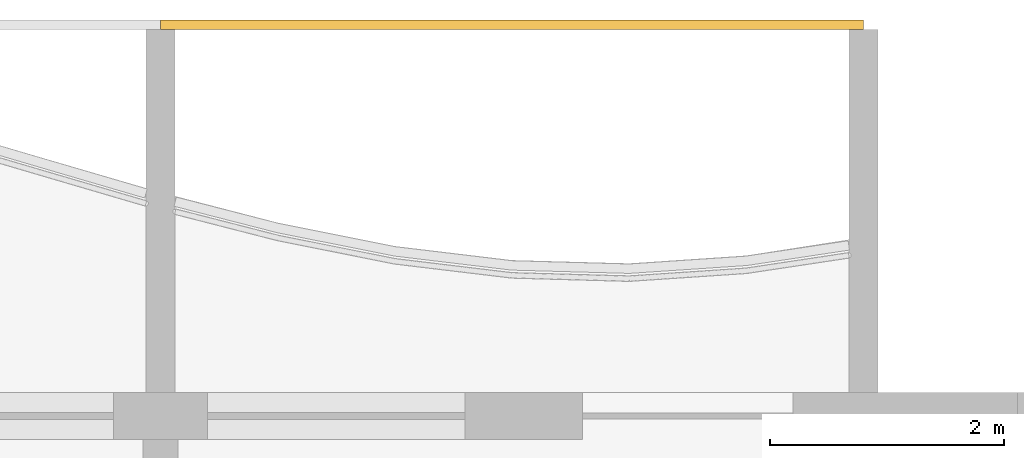
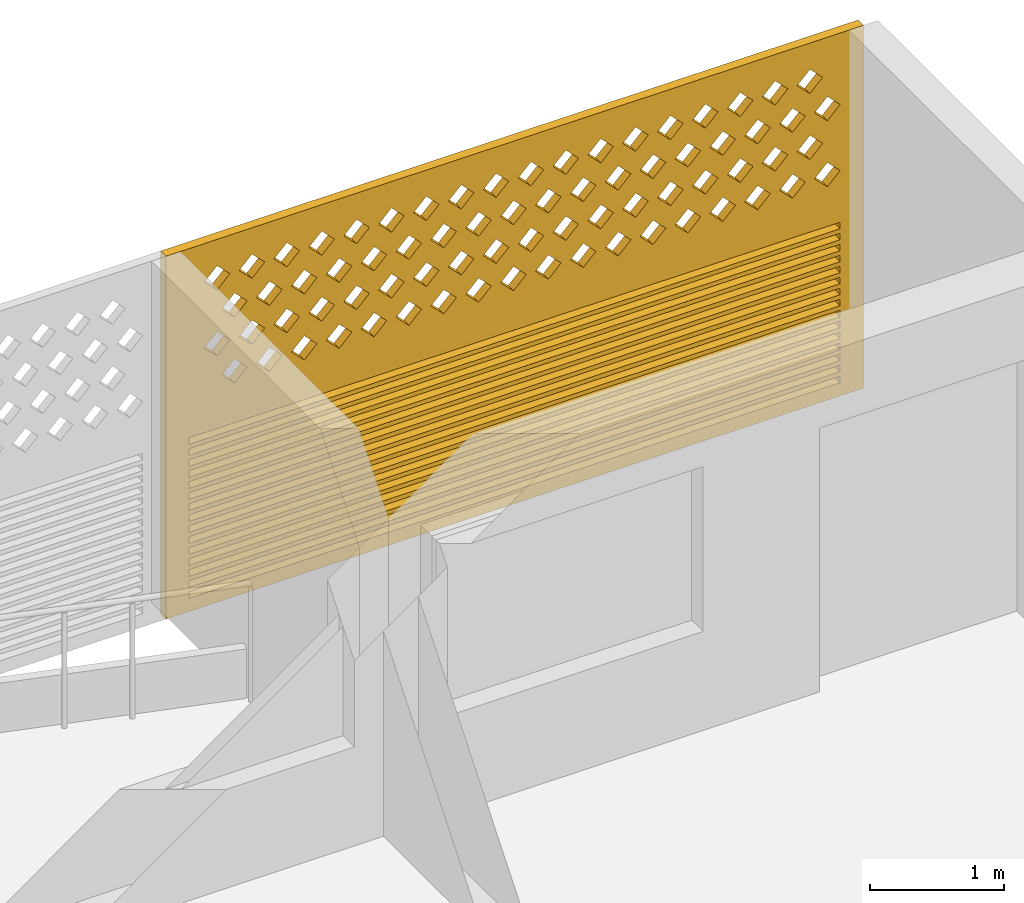
# One storey, part 31 of 31: 1 covering.
"""IFC4 building model written with IfcOpenShell, lengths in metres."""

from ifc_helpers import new_model, si_unit, direction, frame, origin, place, context, subcontext, project, spatial, polyline, outline, extrude, source, transform, mapped, material, material_profile, profile_set, type_object, element, save


model = new_model("IFC4")

# Units and contexts
model_context = context("Model", 3, precision=1e-05, world=origin(), true_north=direction((0.0, 1.0)))
body_context = subcontext(model_context, "Body", "Model", "MODEL_VIEW")
ifc_project = project(units=[si_unit("LENGTHUNIT", "METRE"), si_unit("AREAUNIT", "SQUARE_METRE"), si_unit("VOLUMEUNIT", "CUBIC_METRE"), si_unit("PLANEANGLEUNIT", "RADIAN"), si_unit("MASSUNIT", "GRAM", prefix="KILO")], contexts=[model_context])

# Site, building, storey
site_placement = place(None, origin())
site = spatial("IfcSite", under=ifc_project, at=site_placement, CompositionType="ELEMENT")
building_placement = place(site_placement, origin())
building = spatial("IfcBuilding", under=site, at=building_placement, Name="Poui Terraces", CompositionType="ELEMENT")
storey_placement = place(building_placement, frame((0.0, 0.0, 148.800048828125)))
storey = spatial("IfcBuildingStorey", under=building, at=storey_placement, Name="L41", CompositionType="ELEMENT", Elevation=148.800048828125)

# Covering
ifc_material = material(Name="Terracotta screen", Category="masonry")
ifc_material_profile = material_profile(ifc_material, outline(polyline([(-3.0, -1.64990234375), (3.0, -1.64990234375), (3.0, 1.64990234375), (-3.0, 1.64990234375), (-3.0, -1.64990234375)]), holes=[polyline([(-2.800048828125, 0.39990234375), (-2.68994140625, 0.2900390625), (-2.580078125, 0.39990234375), (-2.68994140625, 0.510009765625), (-2.800048828125, 0.39990234375)]), polyline([(-2.5, 0.39990234375), (-2.389892578125, 0.2900390625), (-2.280029296875, 0.39990234375), (-2.389892578125, 0.510009765625), (-2.5, 0.39990234375)]), polyline([(-2.199951171875, 0.39990234375), (-2.090087890625, 0.2900390625), (-1.97998046875, 0.39990234375), (-2.090087890625, 0.510009765625), (-2.199951171875, 0.39990234375)]), polyline([(-1.89990234375, 0.39990234375), (-1.7900390625, 0.2900390625), (-1.679931640625, 0.39990234375), (-1.7900390625, 0.510009765625), (-1.89990234375, 0.39990234375)]), polyline([(-1.60009765625, 0.39990234375), (-1.489990234375, 0.2900390625), (-1.3798828125, 0.39990234375), (-1.489990234375, 0.510009765625), (-1.60009765625, 0.39990234375)]), polyline([(-1.300048828125, 0.39990234375), (-1.18994140625, 0.2900390625), (-1.080078125, 0.39990234375), (-1.18994140625, 0.510009765625), (-1.300048828125, 0.39990234375)]), polyline([(-1.0, 0.39990234375), (-0.889892578125, 0.2900390625), (-0.780029296875, 0.39990234375), (-0.889892578125, 0.510009765625), (-1.0, 0.39990234375)]), polyline([(-0.699951171875, 0.39990234375), (-0.590087890625, 0.2900390625), (-0.47998046875, 0.39990234375), (-0.590087890625, 0.510009765625), (-0.699951171875, 0.39990234375)]), polyline([(-0.39990234375, 0.39990234375), (-0.2900390625, 0.2900390625), (-0.179931640625, 0.39990234375), (-0.2900390625, 0.510009765625), (-0.39990234375, 0.39990234375)]), polyline([(-0.10009765625, 0.39990234375), (0.010009765625, 0.2900390625), (0.1201171875, 0.39990234375), (0.010009765625, 0.510009765625), (-0.10009765625, 0.39990234375)]), polyline([(0.199951171875, 0.39990234375), (0.31005859375, 0.2900390625), (0.419921875, 0.39990234375), (0.31005859375, 0.510009765625), (0.199951171875, 0.39990234375)]), polyline([(0.5, 0.39990234375), (0.610107421875, 0.2900390625), (0.719970703125, 0.39990234375), (0.610107421875, 0.510009765625), (0.5, 0.39990234375)]), polyline([(0.800048828125, 0.39990234375), (0.909912109375, 0.2900390625), (1.02001953125, 0.39990234375), (0.909912109375, 0.510009765625), (0.800048828125, 0.39990234375)]), polyline([(1.10009765625, 0.39990234375), (1.2099609375, 0.2900390625), (1.320068359375, 0.39990234375), (1.2099609375, 0.510009765625), (1.10009765625, 0.39990234375)]), polyline([(1.39990234375, 0.39990234375), (1.510009765625, 0.2900390625), (1.6201171875, 0.39990234375), (1.510009765625, 0.510009765625), (1.39990234375, 0.39990234375)]), polyline([(1.699951171875, 0.39990234375), (1.81005859375, 0.2900390625), (1.919921875, 0.39990234375), (1.81005859375, 0.510009765625), (1.699951171875, 0.39990234375)]), polyline([(2.0, 0.39990234375), (2.110107421875, 0.2900390625), (2.219970703125, 0.39990234375), (2.110107421875, 0.510009765625), (2.0, 0.39990234375)]), polyline([(2.300048828125, 0.39990234375), (2.409912109375, 0.2900390625), (2.52001953125, 0.39990234375), (2.409912109375, 0.510009765625), (2.300048828125, 0.39990234375)]), polyline([(-2.64990234375, 0.699951171875), (-2.5400390625, 0.590087890625), (-2.429931640625, 0.699951171875), (-2.5400390625, 0.81005859375), (-2.64990234375, 0.699951171875)]), polyline([(-2.35009765625, 0.699951171875), (-2.239990234375, 0.590087890625), (-2.1298828125, 0.699951171875), (-2.239990234375, 0.81005859375), (-2.35009765625, 0.699951171875)]), polyline([(-2.050048828125, 0.699951171875), (-1.93994140625, 0.590087890625), (-1.830078125, 0.699951171875), (-1.93994140625, 0.81005859375), (-2.050048828125, 0.699951171875)]), polyline([(-1.75, 0.699951171875), (-1.639892578125, 0.590087890625), (-1.530029296875, 0.699951171875), (-1.639892578125, 0.81005859375), (-1.75, 0.699951171875)]), polyline([(-1.449951171875, 0.699951171875), (-1.340087890625, 0.590087890625), (-1.22998046875, 0.699951171875), (-1.340087890625, 0.81005859375), (-1.449951171875, 0.699951171875)]), polyline([(-1.14990234375, 0.699951171875), (-1.0400390625, 0.590087890625), (-0.929931640625, 0.699951171875), (-1.0400390625, 0.81005859375), (-1.14990234375, 0.699951171875)]), polyline([(-0.85009765625, 0.699951171875), (-0.739990234375, 0.590087890625), (-0.6298828125, 0.699951171875), (-0.739990234375, 0.81005859375), (-0.85009765625, 0.699951171875)]), polyline([(-0.550048828125, 0.699951171875), (-0.43994140625, 0.590087890625), (-0.330078125, 0.699951171875), (-0.43994140625, 0.81005859375), (-0.550048828125, 0.699951171875)]), polyline([(-0.25, 0.699951171875), (-0.139892578125, 0.590087890625), (-0.030029296875, 0.699951171875), (-0.139892578125, 0.81005859375), (-0.25, 0.699951171875)]), polyline([(0.050048828125, 0.699951171875), (0.159912109375, 0.590087890625), (0.27001953125, 0.699951171875), (0.159912109375, 0.81005859375), (0.050048828125, 0.699951171875)]), polyline([(0.35009765625, 0.699951171875), (0.4599609375, 0.590087890625), (0.570068359375, 0.699951171875), (0.4599609375, 0.81005859375), (0.35009765625, 0.699951171875)]), polyline([(0.64990234375, 0.699951171875), (0.760009765625, 0.590087890625), (0.8701171875, 0.699951171875), (0.760009765625, 0.81005859375), (0.64990234375, 0.699951171875)]), polyline([(0.949951171875, 0.699951171875), (1.06005859375, 0.590087890625), (1.169921875, 0.699951171875), (1.06005859375, 0.81005859375), (0.949951171875, 0.699951171875)]), polyline([(1.25, 0.699951171875), (1.360107421875, 0.590087890625), (1.469970703125, 0.699951171875), (1.360107421875, 0.81005859375), (1.25, 0.699951171875)]), polyline([(1.550048828125, 0.699951171875), (1.659912109375, 0.590087890625), (1.77001953125, 0.699951171875), (1.659912109375, 0.81005859375), (1.550048828125, 0.699951171875)]), polyline([(1.85009765625, 0.699951171875), (1.9599609375, 0.590087890625), (2.070068359375, 0.699951171875), (1.9599609375, 0.81005859375), (1.85009765625, 0.699951171875)]), polyline([(2.14990234375, 0.699951171875), (2.260009765625, 0.590087890625), (2.3701171875, 0.699951171875), (2.260009765625, 0.81005859375), (2.14990234375, 0.699951171875)]), polyline([(2.449951171875, 0.699951171875), (2.56005859375, 0.590087890625), (2.669921875, 0.699951171875), (2.56005859375, 0.81005859375), (2.449951171875, 0.699951171875)]), polyline([(-2.800048828125, 1.0), (-2.68994140625, 0.889892578125), (-2.580078125, 1.0), (-2.68994140625, 1.110107421875), (-2.800048828125, 1.0)]), polyline([(-2.5, 1.0), (-2.389892578125, 0.889892578125), (-2.280029296875, 1.0), (-2.389892578125, 1.110107421875), (-2.5, 1.0)]), polyline([(-2.199951171875, 1.0), (-2.090087890625, 0.889892578125), (-1.97998046875, 1.0), (-2.090087890625, 1.110107421875), (-2.199951171875, 1.0)]), polyline([(-1.89990234375, 1.0), (-1.7900390625, 0.889892578125), (-1.679931640625, 1.0), (-1.7900390625, 1.110107421875), (-1.89990234375, 1.0)]), polyline([(-1.60009765625, 1.0), (-1.489990234375, 0.889892578125), (-1.3798828125, 1.0), (-1.489990234375, 1.110107421875), (-1.60009765625, 1.0)]), polyline([(-1.300048828125, 1.0), (-1.18994140625, 0.889892578125), (-1.080078125, 1.0), (-1.18994140625, 1.110107421875), (-1.300048828125, 1.0)]), polyline([(-1.0, 1.0), (-0.889892578125, 0.889892578125), (-0.780029296875, 1.0), (-0.889892578125, 1.110107421875), (-1.0, 1.0)]), polyline([(-0.699951171875, 1.0), (-0.590087890625, 0.889892578125), (-0.47998046875, 1.0), (-0.590087890625, 1.110107421875), (-0.699951171875, 1.0)]), polyline([(-0.39990234375, 1.0), (-0.2900390625, 0.889892578125), (-0.179931640625, 1.0), (-0.2900390625, 1.110107421875), (-0.39990234375, 1.0)]), polyline([(-0.10009765625, 1.0), (0.010009765625, 0.889892578125), (0.1201171875, 1.0), (0.010009765625, 1.110107421875), (-0.10009765625, 1.0)]), polyline([(0.199951171875, 1.0), (0.31005859375, 0.889892578125), (0.419921875, 1.0), (0.31005859375, 1.110107421875), (0.199951171875, 1.0)]), polyline([(0.5, 1.0), (0.610107421875, 0.889892578125), (0.719970703125, 1.0), (0.610107421875, 1.110107421875), (0.5, 1.0)]), polyline([(0.800048828125, 1.0), (0.909912109375, 0.889892578125), (1.02001953125, 1.0), (0.909912109375, 1.110107421875), (0.800048828125, 1.0)]), polyline([(1.10009765625, 1.0), (1.2099609375, 0.889892578125), (1.320068359375, 1.0), (1.2099609375, 1.110107421875), (1.10009765625, 1.0)]), polyline([(1.39990234375, 1.0), (1.510009765625, 0.889892578125), (1.6201171875, 1.0), (1.510009765625, 1.110107421875), (1.39990234375, 1.0)]), polyline([(1.699951171875, 1.0), (1.81005859375, 0.889892578125), (1.919921875, 1.0), (1.81005859375, 1.110107421875), (1.699951171875, 1.0)]), polyline([(2.0, 1.0), (2.110107421875, 0.889892578125), (2.219970703125, 1.0), (2.110107421875, 1.110107421875), (2.0, 1.0)]), polyline([(2.300048828125, 1.0), (2.409912109375, 0.889892578125), (2.52001953125, 1.0), (2.409912109375, 1.110107421875), (2.300048828125, 1.0)]), polyline([(-2.64990234375, 1.300048828125), (-2.5400390625, 1.18994140625), (-2.429931640625, 1.300048828125), (-2.5400390625, 1.409912109375), (-2.64990234375, 1.300048828125)]), polyline([(-2.35009765625, 1.300048828125), (-2.239990234375, 1.18994140625), (-2.1298828125, 1.300048828125), (-2.239990234375, 1.409912109375), (-2.35009765625, 1.300048828125)]), polyline([(-2.050048828125, 1.300048828125), (-1.93994140625, 1.18994140625), (-1.830078125, 1.300048828125), (-1.93994140625, 1.409912109375), (-2.050048828125, 1.300048828125)]), polyline([(-1.75, 1.300048828125), (-1.639892578125, 1.18994140625), (-1.530029296875, 1.300048828125), (-1.639892578125, 1.409912109375), (-1.75, 1.300048828125)]), polyline([(-1.449951171875, 1.300048828125), (-1.340087890625, 1.18994140625), (-1.22998046875, 1.300048828125), (-1.340087890625, 1.409912109375), (-1.449951171875, 1.300048828125)]), polyline([(-1.14990234375, 1.300048828125), (-1.0400390625, 1.18994140625), (-0.929931640625, 1.300048828125), (-1.0400390625, 1.409912109375), (-1.14990234375, 1.300048828125)]), polyline([(-0.85009765625, 1.300048828125), (-0.739990234375, 1.18994140625), (-0.6298828125, 1.300048828125), (-0.739990234375, 1.409912109375), (-0.85009765625, 1.300048828125)]), polyline([(-0.550048828125, 1.300048828125), (-0.43994140625, 1.18994140625), (-0.330078125, 1.300048828125), (-0.43994140625, 1.409912109375), (-0.550048828125, 1.300048828125)]), polyline([(-0.25, 1.300048828125), (-0.139892578125, 1.18994140625), (-0.030029296875, 1.300048828125), (-0.139892578125, 1.409912109375), (-0.25, 1.300048828125)]), polyline([(0.050048828125, 1.300048828125), (0.159912109375, 1.18994140625), (0.27001953125, 1.300048828125), (0.159912109375, 1.409912109375), (0.050048828125, 1.300048828125)]), polyline([(0.35009765625, 1.300048828125), (0.4599609375, 1.18994140625), (0.570068359375, 1.300048828125), (0.4599609375, 1.409912109375), (0.35009765625, 1.300048828125)]), polyline([(0.64990234375, 1.300048828125), (0.760009765625, 1.18994140625), (0.8701171875, 1.300048828125), (0.760009765625, 1.409912109375), (0.64990234375, 1.300048828125)]), polyline([(0.949951171875, 1.300048828125), (1.06005859375, 1.18994140625), (1.169921875, 1.300048828125), (1.06005859375, 1.409912109375), (0.949951171875, 1.300048828125)]), polyline([(1.25, 1.300048828125), (1.360107421875, 1.18994140625), (1.469970703125, 1.300048828125), (1.360107421875, 1.409912109375), (1.25, 1.300048828125)]), polyline([(1.550048828125, 1.300048828125), (1.659912109375, 1.18994140625), (1.77001953125, 1.300048828125), (1.659912109375, 1.409912109375), (1.550048828125, 1.300048828125)]), polyline([(1.85009765625, 1.300048828125), (1.9599609375, 1.18994140625), (2.070068359375, 1.300048828125), (1.9599609375, 1.409912109375), (1.85009765625, 1.300048828125)]), polyline([(2.14990234375, 1.300048828125), (2.260009765625, 1.18994140625), (2.3701171875, 1.300048828125), (2.260009765625, 1.409912109375), (2.14990234375, 1.300048828125)]), polyline([(2.449951171875, 1.300048828125), (2.56005859375, 1.18994140625), (2.669921875, 1.300048828125), (2.56005859375, 1.409912109375), (2.449951171875, 1.300048828125)]), polyline([(-2.800048828125, -1.530029296875), (2.800048828125, -1.530029296875), (2.800048828125, -1.469970703125), (-2.800048828125, -1.469970703125), (-2.800048828125, -1.530029296875)]), polyline([(-2.800048828125, -1.429931640625), (2.800048828125, -1.429931640625), (2.800048828125, -1.3701171875), (-2.800048828125, -1.3701171875), (-2.800048828125, -1.429931640625)]), polyline([(-2.800048828125, -1.330078125), (2.800048828125, -1.330078125), (2.800048828125, -1.27001953125), (-2.800048828125, -1.27001953125), (-2.800048828125, -1.330078125)]), polyline([(-2.800048828125, -1.22998046875), (2.800048828125, -1.22998046875), (2.800048828125, -1.169921875), (-2.800048828125, -1.169921875), (-2.800048828125, -1.22998046875)]), polyline([(-2.800048828125, -1.1298828125), (2.800048828125, -1.1298828125), (2.800048828125, -1.070068359375), (-2.800048828125, -1.070068359375), (-2.800048828125, -1.1298828125)]), polyline([(-2.800048828125, -1.030029296875), (2.800048828125, -1.030029296875), (2.800048828125, -0.969970703125), (-2.800048828125, -0.969970703125), (-2.800048828125, -1.030029296875)]), polyline([(-2.800048828125, -0.929931640625), (2.800048828125, -0.929931640625), (2.800048828125, -0.8701171875), (-2.800048828125, -0.8701171875), (-2.800048828125, -0.929931640625)]), polyline([(-2.800048828125, -0.830078125), (2.800048828125, -0.830078125), (2.800048828125, -0.77001953125), (-2.800048828125, -0.77001953125), (-2.800048828125, -0.830078125)]), polyline([(-2.800048828125, -0.72998046875), (2.800048828125, -0.72998046875), (2.800048828125, -0.669921875), (-2.800048828125, -0.669921875), (-2.800048828125, -0.72998046875)]), polyline([(-2.800048828125, -0.6298828125), (2.800048828125, -0.6298828125), (2.800048828125, -0.570068359375), (-2.800048828125, -0.570068359375), (-2.800048828125, -0.6298828125)]), polyline([(-2.800048828125, -0.530029296875), (2.800048828125, -0.530029296875), (2.800048828125, -0.469970703125), (-2.800048828125, -0.469970703125), (-2.800048828125, -0.530029296875)]), polyline([(-2.800048828125, -0.429931640625), (2.800048828125, -0.429931640625), (2.800048828125, -0.3701171875), (-2.800048828125, -0.3701171875), (-2.800048828125, -0.429931640625)]), polyline([(-2.800048828125, -0.330078125), (2.800048828125, -0.330078125), (2.800048828125, -0.27001953125), (-2.800048828125, -0.27001953125), (-2.800048828125, -0.330078125)]), polyline([(-2.800048828125, -0.22998046875), (2.800048828125, -0.22998046875), (2.800048828125, -0.169921875), (-2.800048828125, -0.169921875), (-2.800048828125, -0.22998046875)]), polyline([(-2.800048828125, -0.1298828125), (2.800048828125, -0.1298828125), (2.800048828125, -0.070068359375), (-2.800048828125, -0.070068359375), (-2.800048828125, -0.1298828125)])]), Name="TERRACOTTA SCREEN AND JALOUSIE LOUVRE 6000X3300")
ifc_profile_set = profile_set([ifc_material_profile], Name="Terracotta screen")
covering_type = type_object("IfcCoveringType", Name="TERRACOTTA SCREEN AND JALOUSIE LOUVRE 6000X3300", PredefinedType="CLADDING", material=ifc_profile_set)
shared_shape = source(origin(), body_context, "Body", "SweptSolid", [
    extrude(outline(polyline([(-3.0, -1.64990234375), (3.0, -1.64990234375), (3.0, 1.64990234375), (-3.0, 1.64990234375), (-3.0, -1.64990234375)]), holes=[polyline([(-2.800048828125, 0.39990234375), (-2.68994140625, 0.2900390625), (-2.580078125, 0.39990234375), (-2.68994140625, 0.510009765625), (-2.800048828125, 0.39990234375)]), polyline([(-2.5, 0.39990234375), (-2.389892578125, 0.2900390625), (-2.280029296875, 0.39990234375), (-2.389892578125, 0.510009765625), (-2.5, 0.39990234375)]), polyline([(-2.199951171875, 0.39990234375), (-2.090087890625, 0.2900390625), (-1.97998046875, 0.39990234375), (-2.090087890625, 0.510009765625), (-2.199951171875, 0.39990234375)]), polyline([(-1.89990234375, 0.39990234375), (-1.7900390625, 0.2900390625), (-1.679931640625, 0.39990234375), (-1.7900390625, 0.510009765625), (-1.89990234375, 0.39990234375)]), polyline([(-1.60009765625, 0.39990234375), (-1.489990234375, 0.2900390625), (-1.3798828125, 0.39990234375), (-1.489990234375, 0.510009765625), (-1.60009765625, 0.39990234375)]), polyline([(-1.300048828125, 0.39990234375), (-1.18994140625, 0.2900390625), (-1.080078125, 0.39990234375), (-1.18994140625, 0.510009765625), (-1.300048828125, 0.39990234375)]), polyline([(-1.0, 0.39990234375), (-0.889892578125, 0.2900390625), (-0.780029296875, 0.39990234375), (-0.889892578125, 0.510009765625), (-1.0, 0.39990234375)]), polyline([(-0.699951171875, 0.39990234375), (-0.590087890625, 0.2900390625), (-0.47998046875, 0.39990234375), (-0.590087890625, 0.510009765625), (-0.699951171875, 0.39990234375)]), polyline([(-0.39990234375, 0.39990234375), (-0.2900390625, 0.2900390625), (-0.179931640625, 0.39990234375), (-0.2900390625, 0.510009765625), (-0.39990234375, 0.39990234375)]), polyline([(-0.10009765625, 0.39990234375), (0.010009765625, 0.2900390625), (0.1201171875, 0.39990234375), (0.010009765625, 0.510009765625), (-0.10009765625, 0.39990234375)]), polyline([(0.199951171875, 0.39990234375), (0.31005859375, 0.2900390625), (0.419921875, 0.39990234375), (0.31005859375, 0.510009765625), (0.199951171875, 0.39990234375)]), polyline([(0.5, 0.39990234375), (0.610107421875, 0.2900390625), (0.719970703125, 0.39990234375), (0.610107421875, 0.510009765625), (0.5, 0.39990234375)]), polyline([(0.800048828125, 0.39990234375), (0.909912109375, 0.2900390625), (1.02001953125, 0.39990234375), (0.909912109375, 0.510009765625), (0.800048828125, 0.39990234375)]), polyline([(1.10009765625, 0.39990234375), (1.2099609375, 0.2900390625), (1.320068359375, 0.39990234375), (1.2099609375, 0.510009765625), (1.10009765625, 0.39990234375)]), polyline([(1.39990234375, 0.39990234375), (1.510009765625, 0.2900390625), (1.6201171875, 0.39990234375), (1.510009765625, 0.510009765625), (1.39990234375, 0.39990234375)]), polyline([(1.699951171875, 0.39990234375), (1.81005859375, 0.2900390625), (1.919921875, 0.39990234375), (1.81005859375, 0.510009765625), (1.699951171875, 0.39990234375)]), polyline([(2.0, 0.39990234375), (2.110107421875, 0.2900390625), (2.219970703125, 0.39990234375), (2.110107421875, 0.510009765625), (2.0, 0.39990234375)]), polyline([(2.300048828125, 0.39990234375), (2.409912109375, 0.2900390625), (2.52001953125, 0.39990234375), (2.409912109375, 0.510009765625), (2.300048828125, 0.39990234375)]), polyline([(-2.64990234375, 0.699951171875), (-2.5400390625, 0.590087890625), (-2.429931640625, 0.699951171875), (-2.5400390625, 0.81005859375), (-2.64990234375, 0.699951171875)]), polyline([(-2.35009765625, 0.699951171875), (-2.239990234375, 0.590087890625), (-2.1298828125, 0.699951171875), (-2.239990234375, 0.81005859375), (-2.35009765625, 0.699951171875)]), polyline([(-2.050048828125, 0.699951171875), (-1.93994140625, 0.590087890625), (-1.830078125, 0.699951171875), (-1.93994140625, 0.81005859375), (-2.050048828125, 0.699951171875)]), polyline([(-1.75, 0.699951171875), (-1.639892578125, 0.590087890625), (-1.530029296875, 0.699951171875), (-1.639892578125, 0.81005859375), (-1.75, 0.699951171875)]), polyline([(-1.449951171875, 0.699951171875), (-1.340087890625, 0.590087890625), (-1.22998046875, 0.699951171875), (-1.340087890625, 0.81005859375), (-1.449951171875, 0.699951171875)]), polyline([(-1.14990234375, 0.699951171875), (-1.0400390625, 0.590087890625), (-0.929931640625, 0.699951171875), (-1.0400390625, 0.81005859375), (-1.14990234375, 0.699951171875)]), polyline([(-0.85009765625, 0.699951171875), (-0.739990234375, 0.590087890625), (-0.6298828125, 0.699951171875), (-0.739990234375, 0.81005859375), (-0.85009765625, 0.699951171875)]), polyline([(-0.550048828125, 0.699951171875), (-0.43994140625, 0.590087890625), (-0.330078125, 0.699951171875), (-0.43994140625, 0.81005859375), (-0.550048828125, 0.699951171875)]), polyline([(-0.25, 0.699951171875), (-0.139892578125, 0.590087890625), (-0.030029296875, 0.699951171875), (-0.139892578125, 0.81005859375), (-0.25, 0.699951171875)]), polyline([(0.050048828125, 0.699951171875), (0.159912109375, 0.590087890625), (0.27001953125, 0.699951171875), (0.159912109375, 0.81005859375), (0.050048828125, 0.699951171875)]), polyline([(0.35009765625, 0.699951171875), (0.4599609375, 0.590087890625), (0.570068359375, 0.699951171875), (0.4599609375, 0.81005859375), (0.35009765625, 0.699951171875)]), polyline([(0.64990234375, 0.699951171875), (0.760009765625, 0.590087890625), (0.8701171875, 0.699951171875), (0.760009765625, 0.81005859375), (0.64990234375, 0.699951171875)]), polyline([(0.949951171875, 0.699951171875), (1.06005859375, 0.590087890625), (1.169921875, 0.699951171875), (1.06005859375, 0.81005859375), (0.949951171875, 0.699951171875)]), polyline([(1.25, 0.699951171875), (1.360107421875, 0.590087890625), (1.469970703125, 0.699951171875), (1.360107421875, 0.81005859375), (1.25, 0.699951171875)]), polyline([(1.550048828125, 0.699951171875), (1.659912109375, 0.590087890625), (1.77001953125, 0.699951171875), (1.659912109375, 0.81005859375), (1.550048828125, 0.699951171875)]), polyline([(1.85009765625, 0.699951171875), (1.9599609375, 0.590087890625), (2.070068359375, 0.699951171875), (1.9599609375, 0.81005859375), (1.85009765625, 0.699951171875)]), polyline([(2.14990234375, 0.699951171875), (2.260009765625, 0.590087890625), (2.3701171875, 0.699951171875), (2.260009765625, 0.81005859375), (2.14990234375, 0.699951171875)]), polyline([(2.449951171875, 0.699951171875), (2.56005859375, 0.590087890625), (2.669921875, 0.699951171875), (2.56005859375, 0.81005859375), (2.449951171875, 0.699951171875)]), polyline([(-2.800048828125, 1.0), (-2.68994140625, 0.889892578125), (-2.580078125, 1.0), (-2.68994140625, 1.110107421875), (-2.800048828125, 1.0)]), polyline([(-2.5, 1.0), (-2.389892578125, 0.889892578125), (-2.280029296875, 1.0), (-2.389892578125, 1.110107421875), (-2.5, 1.0)]), polyline([(-2.199951171875, 1.0), (-2.090087890625, 0.889892578125), (-1.97998046875, 1.0), (-2.090087890625, 1.110107421875), (-2.199951171875, 1.0)]), polyline([(-1.89990234375, 1.0), (-1.7900390625, 0.889892578125), (-1.679931640625, 1.0), (-1.7900390625, 1.110107421875), (-1.89990234375, 1.0)]), polyline([(-1.60009765625, 1.0), (-1.489990234375, 0.889892578125), (-1.3798828125, 1.0), (-1.489990234375, 1.110107421875), (-1.60009765625, 1.0)]), polyline([(-1.300048828125, 1.0), (-1.18994140625, 0.889892578125), (-1.080078125, 1.0), (-1.18994140625, 1.110107421875), (-1.300048828125, 1.0)]), polyline([(-1.0, 1.0), (-0.889892578125, 0.889892578125), (-0.780029296875, 1.0), (-0.889892578125, 1.110107421875), (-1.0, 1.0)]), polyline([(-0.699951171875, 1.0), (-0.590087890625, 0.889892578125), (-0.47998046875, 1.0), (-0.590087890625, 1.110107421875), (-0.699951171875, 1.0)]), polyline([(-0.39990234375, 1.0), (-0.2900390625, 0.889892578125), (-0.179931640625, 1.0), (-0.2900390625, 1.110107421875), (-0.39990234375, 1.0)]), polyline([(-0.10009765625, 1.0), (0.010009765625, 0.889892578125), (0.1201171875, 1.0), (0.010009765625, 1.110107421875), (-0.10009765625, 1.0)]), polyline([(0.199951171875, 1.0), (0.31005859375, 0.889892578125), (0.419921875, 1.0), (0.31005859375, 1.110107421875), (0.199951171875, 1.0)]), polyline([(0.5, 1.0), (0.610107421875, 0.889892578125), (0.719970703125, 1.0), (0.610107421875, 1.110107421875), (0.5, 1.0)]), polyline([(0.800048828125, 1.0), (0.909912109375, 0.889892578125), (1.02001953125, 1.0), (0.909912109375, 1.110107421875), (0.800048828125, 1.0)]), polyline([(1.10009765625, 1.0), (1.2099609375, 0.889892578125), (1.320068359375, 1.0), (1.2099609375, 1.110107421875), (1.10009765625, 1.0)]), polyline([(1.39990234375, 1.0), (1.510009765625, 0.889892578125), (1.6201171875, 1.0), (1.510009765625, 1.110107421875), (1.39990234375, 1.0)]), polyline([(1.699951171875, 1.0), (1.81005859375, 0.889892578125), (1.919921875, 1.0), (1.81005859375, 1.110107421875), (1.699951171875, 1.0)]), polyline([(2.0, 1.0), (2.110107421875, 0.889892578125), (2.219970703125, 1.0), (2.110107421875, 1.110107421875), (2.0, 1.0)]), polyline([(2.300048828125, 1.0), (2.409912109375, 0.889892578125), (2.52001953125, 1.0), (2.409912109375, 1.110107421875), (2.300048828125, 1.0)]), polyline([(-2.64990234375, 1.300048828125), (-2.5400390625, 1.18994140625), (-2.429931640625, 1.300048828125), (-2.5400390625, 1.409912109375), (-2.64990234375, 1.300048828125)]), polyline([(-2.35009765625, 1.300048828125), (-2.239990234375, 1.18994140625), (-2.1298828125, 1.300048828125), (-2.239990234375, 1.409912109375), (-2.35009765625, 1.300048828125)]), polyline([(-2.050048828125, 1.300048828125), (-1.93994140625, 1.18994140625), (-1.830078125, 1.300048828125), (-1.93994140625, 1.409912109375), (-2.050048828125, 1.300048828125)]), polyline([(-1.75, 1.300048828125), (-1.639892578125, 1.18994140625), (-1.530029296875, 1.300048828125), (-1.639892578125, 1.409912109375), (-1.75, 1.300048828125)]), polyline([(-1.449951171875, 1.300048828125), (-1.340087890625, 1.18994140625), (-1.22998046875, 1.300048828125), (-1.340087890625, 1.409912109375), (-1.449951171875, 1.300048828125)]), polyline([(-1.14990234375, 1.300048828125), (-1.0400390625, 1.18994140625), (-0.929931640625, 1.300048828125), (-1.0400390625, 1.409912109375), (-1.14990234375, 1.300048828125)]), polyline([(-0.85009765625, 1.300048828125), (-0.739990234375, 1.18994140625), (-0.6298828125, 1.300048828125), (-0.739990234375, 1.409912109375), (-0.85009765625, 1.300048828125)]), polyline([(-0.550048828125, 1.300048828125), (-0.43994140625, 1.18994140625), (-0.330078125, 1.300048828125), (-0.43994140625, 1.409912109375), (-0.550048828125, 1.300048828125)]), polyline([(-0.25, 1.300048828125), (-0.139892578125, 1.18994140625), (-0.030029296875, 1.300048828125), (-0.139892578125, 1.409912109375), (-0.25, 1.300048828125)]), polyline([(0.050048828125, 1.300048828125), (0.159912109375, 1.18994140625), (0.27001953125, 1.300048828125), (0.159912109375, 1.409912109375), (0.050048828125, 1.300048828125)]), polyline([(0.35009765625, 1.300048828125), (0.4599609375, 1.18994140625), (0.570068359375, 1.300048828125), (0.4599609375, 1.409912109375), (0.35009765625, 1.300048828125)]), polyline([(0.64990234375, 1.300048828125), (0.760009765625, 1.18994140625), (0.8701171875, 1.300048828125), (0.760009765625, 1.409912109375), (0.64990234375, 1.300048828125)]), polyline([(0.949951171875, 1.300048828125), (1.06005859375, 1.18994140625), (1.169921875, 1.300048828125), (1.06005859375, 1.409912109375), (0.949951171875, 1.300048828125)]), polyline([(1.25, 1.300048828125), (1.360107421875, 1.18994140625), (1.469970703125, 1.300048828125), (1.360107421875, 1.409912109375), (1.25, 1.300048828125)]), polyline([(1.550048828125, 1.300048828125), (1.659912109375, 1.18994140625), (1.77001953125, 1.300048828125), (1.659912109375, 1.409912109375), (1.550048828125, 1.300048828125)]), polyline([(1.85009765625, 1.300048828125), (1.9599609375, 1.18994140625), (2.070068359375, 1.300048828125), (1.9599609375, 1.409912109375), (1.85009765625, 1.300048828125)]), polyline([(2.14990234375, 1.300048828125), (2.260009765625, 1.18994140625), (2.3701171875, 1.300048828125), (2.260009765625, 1.409912109375), (2.14990234375, 1.300048828125)]), polyline([(2.449951171875, 1.300048828125), (2.56005859375, 1.18994140625), (2.669921875, 1.300048828125), (2.56005859375, 1.409912109375), (2.449951171875, 1.300048828125)]), polyline([(-2.800048828125, -1.530029296875), (2.800048828125, -1.530029296875), (2.800048828125, -1.469970703125), (-2.800048828125, -1.469970703125), (-2.800048828125, -1.530029296875)]), polyline([(-2.800048828125, -1.429931640625), (2.800048828125, -1.429931640625), (2.800048828125, -1.3701171875), (-2.800048828125, -1.3701171875), (-2.800048828125, -1.429931640625)]), polyline([(-2.800048828125, -1.330078125), (2.800048828125, -1.330078125), (2.800048828125, -1.27001953125), (-2.800048828125, -1.27001953125), (-2.800048828125, -1.330078125)]), polyline([(-2.800048828125, -1.22998046875), (2.800048828125, -1.22998046875), (2.800048828125, -1.169921875), (-2.800048828125, -1.169921875), (-2.800048828125, -1.22998046875)]), polyline([(-2.800048828125, -1.1298828125), (2.800048828125, -1.1298828125), (2.800048828125, -1.070068359375), (-2.800048828125, -1.070068359375), (-2.800048828125, -1.1298828125)]), polyline([(-2.800048828125, -1.030029296875), (2.800048828125, -1.030029296875), (2.800048828125, -0.969970703125), (-2.800048828125, -0.969970703125), (-2.800048828125, -1.030029296875)]), polyline([(-2.800048828125, -0.929931640625), (2.800048828125, -0.929931640625), (2.800048828125, -0.8701171875), (-2.800048828125, -0.8701171875), (-2.800048828125, -0.929931640625)]), polyline([(-2.800048828125, -0.830078125), (2.800048828125, -0.830078125), (2.800048828125, -0.77001953125), (-2.800048828125, -0.77001953125), (-2.800048828125, -0.830078125)]), polyline([(-2.800048828125, -0.72998046875), (2.800048828125, -0.72998046875), (2.800048828125, -0.669921875), (-2.800048828125, -0.669921875), (-2.800048828125, -0.72998046875)]), polyline([(-2.800048828125, -0.6298828125), (2.800048828125, -0.6298828125), (2.800048828125, -0.570068359375), (-2.800048828125, -0.570068359375), (-2.800048828125, -0.6298828125)]), polyline([(-2.800048828125, -0.530029296875), (2.800048828125, -0.530029296875), (2.800048828125, -0.469970703125), (-2.800048828125, -0.469970703125), (-2.800048828125, -0.530029296875)]), polyline([(-2.800048828125, -0.429931640625), (2.800048828125, -0.429931640625), (2.800048828125, -0.3701171875), (-2.800048828125, -0.3701171875), (-2.800048828125, -0.429931640625)]), polyline([(-2.800048828125, -0.330078125), (2.800048828125, -0.330078125), (2.800048828125, -0.27001953125), (-2.800048828125, -0.27001953125), (-2.800048828125, -0.330078125)]), polyline([(-2.800048828125, -0.22998046875), (2.800048828125, -0.22998046875), (2.800048828125, -0.169921875), (-2.800048828125, -0.169921875), (-2.800048828125, -0.22998046875)]), polyline([(-2.800048828125, -0.1298828125), (2.800048828125, -0.1298828125), (2.800048828125, -0.070068359375), (-2.800048828125, -0.070068359375), (-2.800048828125, -0.1298828125)])]), origin(), (0.0, 0.0, 1.0), 0.080078125),
])
covering_placement = place(storey_placement, frame((81.0, 45.699951171875, 1.449951171875), z_axis=(0.0, 1.0, 0.0), x_axis=(-1.0, 0.0, 0.0)))
element("IfcCovering", 1, at=covering_placement, inside=storey, type_object=covering_type, Name="SOLAR SCREEN AND JALOUSIE LOUVRE", PredefinedType="CLADDING", context=body_context, shape_type="MappedRepresentation", body=[
    mapped(shared_shape, transform((0.0, 0.0, 0.0))),
])

save(model, "model.ifc")
